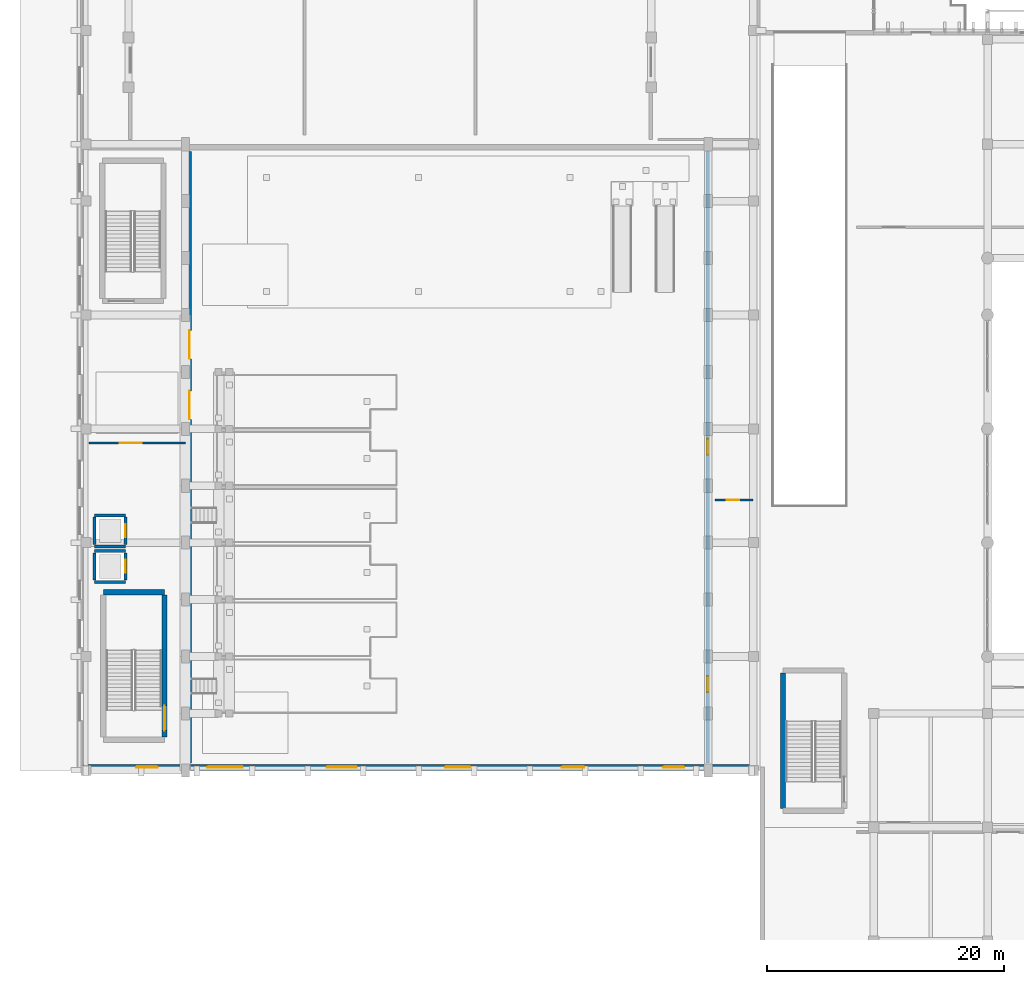
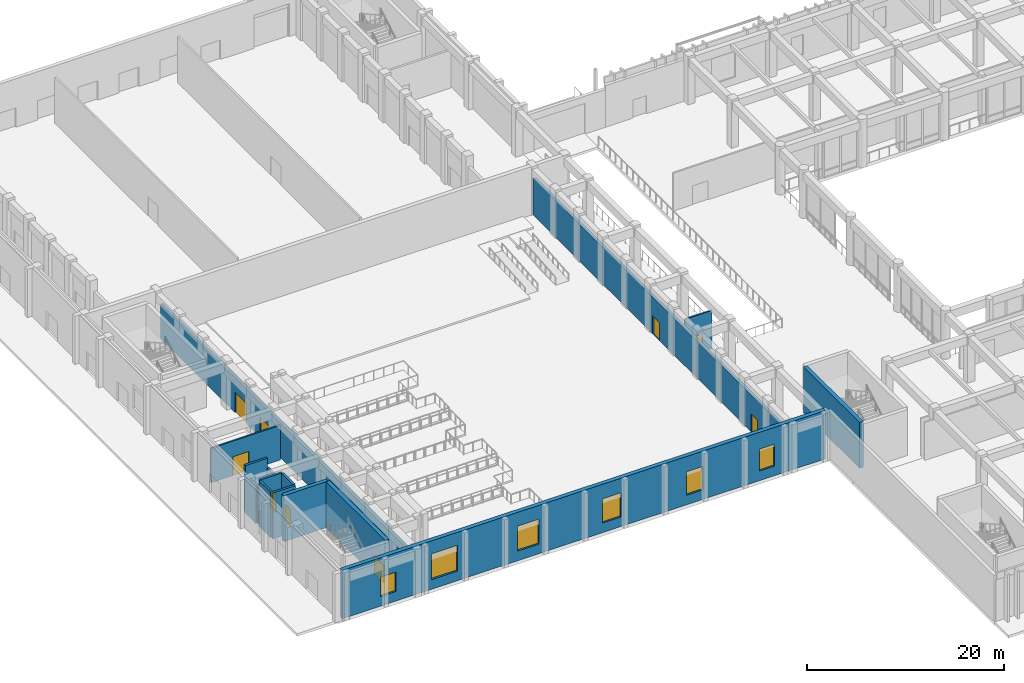
# One storey, part 41 of 87: 16 walls, 9 doors, 6 windows, 15 openings.
"""IFC4 building model written with IfcOpenShell, lengths in metres."""

from ifc_helpers import new_model, si_unit, direction, frame, frame_2d, origin, place, context, subcontext, project, spatial, rectangle, extrude, material, layer, layer_set, type_object, element, fill, save


model = new_model("IFC4")

# Units and contexts
model_context = context("Model", 3, precision=1e-05, world=origin(), true_north=direction((0.0, 1.0)))
body_context = subcontext(model_context, "Body", "Model", "MODEL_VIEW")
ifc_project = project(units=[si_unit("LENGTHUNIT", "METRE"), si_unit("AREAUNIT", "SQUARE_METRE"), si_unit("VOLUMEUNIT", "CUBIC_METRE"), si_unit("PLANEANGLEUNIT", "RADIAN"), si_unit("MASSUNIT", "GRAM", prefix="KILO")], contexts=[model_context])

# Site, building, storey
site_placement = place(None, origin())
site = spatial("IfcSite", under=ifc_project, at=site_placement, CompositionType="ELEMENT")
building_placement = place(site_placement, origin())
building = spatial("IfcBuilding", under=site, at=building_placement, Name="Nakhvara Creek Congress Hotel", CompositionType="ELEMENT")
storey_placement = place(building_placement, origin())
storey = spatial("IfcBuildingStorey", under=building, at=storey_placement, Name="L00", CompositionType="ELEMENT", Elevation=0.0)

# Wall
ifc_material_1 = material(Name="Concrete C50/60", Category="concrete")
ifc_layer_1 = layer(ifc_material_1, 0.449951171875)
ifc_layer_set_1 = layer_set([ifc_layer_1], Name="Concrete C50/60")
wall_type_1 = type_object("IfcWallType", Name="W-CORE-450", PredefinedType="SHEAR", material=ifc_layer_set_1)
wall_1_placement = place(storey_placement, frame((2.22998046875, 48.6201171875, 0.0), z_axis=(0.0, 0.0, 1.0), x_axis=(1.0, 0.0, 0.0)))
element("IfcWall", 1, at=wall_1_placement, inside=storey, type_object=wall_type_1, Name="Core Shear Wall WS02-CWALL-L00-0734", PredefinedType="SHEAR", context=body_context, shape_type="SweptSolid", body=[
    extrude(rectangle(XDim=5.14990234375, YDim=0.449951171875, at=frame_2d((2.574951171875, 0.0))), origin(), (0.0, 0.0, 1.0), 5.699951171875),
])

# Wall, opening, door
wall_2_placement = place(storey_placement, frame((7.3798828125, 36.39990234375, 0.0), z_axis=(0.0, 0.0, 1.0), x_axis=(0.0, 1.0, 0.0)))
wall_2 = element("IfcWall", 2, at=wall_2_placement, inside=storey, type_object=wall_type_1, Name="Core Shear Wall WS02-CWALL-L00-0736", PredefinedType="SHEAR", context=body_context, shape_type="SweptSolid", body=[
    extrude(rectangle(XDim=12.0, YDim=0.449951171875, at=frame_2d((6.0, 0.0))), origin(), (0.0, 0.0, 1.0), 5.699951171875),
])
opening_1_placement = place(wall_2_placement, frame((0.550048828125, 0.0, 0.0)))
opening_1 = element("IfcOpeningElement", 3, at=opening_1_placement, cuts=wall_2, Name="Opening FD19", PredefinedType="OPENING", context=body_context, shape_type="SweptSolid", body=[
    extrude(rectangle(XDim=2.10009765625, YDim=2.199951171875, at=frame_2d((1.050048828125, 1.10009765625))), frame((0.0, 0.23681640625, 0.0), z_axis=(0.0, -1.0, 0.0), x_axis=(1.0, 0.0, 0.0)), (0.0, 0.0, 1.0), 0.473876953125),
])
ifc_material_2 = material(Name="Galvanised steel acoustic fire door", Category="steel")
door_type_1 = type_object("IfcDoorType", Name="DT-STAIR-220", OperationType="DOUBLE_DOOR_SINGLE_SWING", PredefinedType="DOOR", material=ifc_material_2)
door_1_placement = place(opening_1_placement, frame((2.10009765625, 0.0, 0.0), z_axis=(0.0, 0.0, 1.0), x_axis=(-1.0, 0.0, 0.0)))
door_1 = element("IfcDoor", 4, at=door_1_placement, inside=storey, type_object=door_type_1, Name="Stair Exit Door ST05-L00", OperationType="DOUBLE_DOOR_SINGLE_SWING", OverallHeight=2.199951171875, OverallWidth=2.10009765625, PredefinedType="DOOR", context=body_context, shape_type="SweptSolid", body=[
    extrude(rectangle(XDim=2.10009765625, YDim=2.199951171875, at=frame_2d((1.050048828125, 1.10009765625))), frame((0.0, 0.02490234375, 0.0), z_axis=(0.0, -1.0, 0.0), x_axis=(1.0, 0.0, 0.0)), (0.0, 0.0, 1.0), 0.050048828125),
])
fill(opening_1, door_1)

# Wall
wall_3_placement = place(storey_placement, frame((59.550048828125, 30.39990234375, 0.0), z_axis=(0.0, 0.0, 1.0), x_axis=(0.0, 1.0, 0.0)))
element("IfcWall", 5, at=wall_3_placement, inside=storey, type_object=wall_type_1, Name="Core Shear Wall WS02-CWALL-L00-0989", PredefinedType="SHEAR", context=body_context, shape_type="SweptSolid", body=[
    extrude(rectangle(XDim=11.400146484375, YDim=0.449951171875, at=frame_2d((5.7001953125, 0.0))), origin(), (0.0, 0.0, 1.0), 5.699951171875),
])

# Wall, openings, windows
ifc_material_3 = material(Name="Honed pale Omani limestone cladding", Category="masonry")
ifc_layer_2 = layer(ifc_material_3, 0.06005859375)
ifc_material_4 = material(Name="Mineral wool thermal insulation")
ifc_layer_3 = layer(ifc_material_4, 0.1201171875)
ifc_material_5 = material(Name="Precast concrete C40/50", Category="concrete")
ifc_layer_4 = layer(ifc_material_5, 0.300048828125)
ifc_layer_set_2 = layer_set([ifc_layer_2, ifc_layer_3, ifc_layer_4], Name="Precast concrete C40/50")
wall_type_2 = type_object("IfcWallType", Name="W-HALL-480", PredefinedType="SOLIDWALL", material=ifc_layer_set_2)
wall_4_placement = place(storey_placement, frame((57.199951171875, 33.840087890625, 0.0), z_axis=(0.0, 0.0, 1.0), x_axis=(-1.0, 0.0, 0.0)))
wall_4 = element("IfcWall", 6, at=wall_4_placement, inside=storey, type_object=wall_type_2, Name="Exterior Wall WE01-EW-L00-0035", PredefinedType="SOLIDWALL", context=body_context, shape_type="SweptSolid", body=[
    extrude(rectangle(XDim=56.699951171875, YDim=0.47998046875, at=frame_2d((28.35009765625, 0.0))), origin(), (0.0, 0.0, 1.0), 6.0),
])
opening_2_placement = place(wall_4_placement, frame((6.0, 0.0, 1.199951171875)))
opening_2 = element("IfcOpeningElement", 7, at=opening_2_placement, cuts=wall_4, Name="Opening WN0023", PredefinedType="OPENING", context=body_context, shape_type="SweptSolid", body=[
    extrude(rectangle(XDim=1.75, YDim=2.699951171875, at=frame_2d((0.875, 1.35009765625))), frame((0.0, 0.251953125, 0.0), z_axis=(0.0, -1.0, 0.0), x_axis=(1.0, 0.0, 0.0)), (0.0, 0.0, 1.0), 0.50390625),
])
opening_3_placement = place(wall_4_placement, frame((14.39990234375, 0.0, 1.199951171875)))
opening_3 = element("IfcOpeningElement", 8, at=opening_3_placement, cuts=wall_4, Name="Opening WN0024", PredefinedType="OPENING", context=body_context, shape_type="SweptSolid", body=[
    extrude(rectangle(XDim=1.89990234375, YDim=2.89990234375, at=frame_2d((0.949951171875, 1.449951171875))), frame((0.0, 0.251953125, 0.0), z_axis=(0.0, -1.0, 0.0), x_axis=(1.0, 0.0, 0.0)), (0.0, 0.0, 1.0), 0.50390625),
])
opening_4_placement = place(wall_4_placement, frame((24.0, 0.0, 1.199951171875)))
opening_4 = element("IfcOpeningElement", 9, at=opening_4_placement, cuts=wall_4, Name="Opening WN0025", PredefinedType="OPENING", context=body_context, shape_type="SweptSolid", body=[
    extrude(rectangle(XDim=2.14990234375, YDim=3.0, at=frame_2d((1.074951171875, 1.5))), frame((0.0, 0.251953125, 0.0), z_axis=(0.0, -1.0, 0.0), x_axis=(1.0, 0.0, 0.0)), (0.0, 0.0, 1.0), 0.50390625),
])
opening_5_placement = place(wall_4_placement, frame((33.60009765625, 0.0, 1.199951171875)))
opening_5 = element("IfcOpeningElement", 10, at=opening_5_placement, cuts=wall_4, Name="Opening WN0026", PredefinedType="OPENING", context=body_context, shape_type="SweptSolid", body=[
    extrude(rectangle(XDim=2.550048828125, YDim=3.10009765625, at=frame_2d((1.27490234375, 1.550048828125))), frame((0.0, 0.251953125, 0.0), z_axis=(0.0, -1.0, 0.0), x_axis=(1.0, 0.0, 0.0)), (0.0, 0.0, 1.0), 0.50390625),
])
opening_6_placement = place(wall_4_placement, frame((43.199951171875, 0.0, 1.199951171875)))
opening_6 = element("IfcOpeningElement", 11, at=opening_6_placement, cuts=wall_4, Name="Opening WN0027", PredefinedType="OPENING", context=body_context, shape_type="SweptSolid", body=[
    extrude(rectangle(XDim=3.0, YDim=3.199951171875, at=frame_2d((1.5, 1.60009765625))), frame((0.0, 0.251953125, 0.0), z_axis=(0.0, -1.0, 0.0), x_axis=(1.0, 0.0, 0.0)), (0.0, 0.0, 1.0), 0.50390625),
])
opening_7_placement = place(wall_4_placement, frame((50.39990234375, 0.0, 1.199951171875)))
opening_7 = element("IfcOpeningElement", 12, at=opening_7_placement, cuts=wall_4, Name="Opening WN0028", PredefinedType="OPENING", context=body_context, shape_type="SweptSolid", body=[
    extrude(rectangle(XDim=1.800048828125, YDim=2.39990234375, at=frame_2d((0.89990234375, 1.199951171875))), frame((0.0, 0.251953125, 0.0), z_axis=(0.0, -1.0, 0.0), x_axis=(1.0, 0.0, 0.0)), (0.0, 0.0, 1.0), 0.50390625),
])
ifc_material_6 = material(Name="Thermally broken bronze-anodised aluminium and double-silver low-E insulated glass", Category="aluminium")
window_type_1 = type_object("IfcWindowType", Name="WN-POD-175X270", PartitioningType="SINGLE_PANEL", PredefinedType="WINDOW", material=ifc_material_6)
window_1_placement = place(opening_2_placement, origin())
window_1 = element("IfcWindow", 13, at=window_1_placement, inside=storey, type_object=window_type_1, Name="Facade Window WN0023", OverallHeight=2.699951171875, OverallWidth=1.75, PartitioningType="SINGLE_PANEL", PredefinedType="WINDOW", context=body_context, shape_type="SweptSolid", body=[
    extrude(rectangle(XDim=1.75, YDim=2.699951171875, at=frame_2d((0.875, 1.35009765625))), frame((0.0, 0.030029296875, 0.0), z_axis=(0.0, -1.0, 0.0), x_axis=(1.0, 0.0, 0.0)), (0.0, 0.0, 1.0), 0.06005859375),
])
fill(opening_2, window_1)
window_type_2 = type_object("IfcWindowType", Name="WN-POD-190X290", PartitioningType="SINGLE_PANEL", PredefinedType="WINDOW", material=ifc_material_6)
window_2_placement = place(opening_3_placement, origin())
window_2 = element("IfcWindow", 14, at=window_2_placement, inside=storey, type_object=window_type_2, Name="Facade Window WN0024", OverallHeight=2.89990234375, OverallWidth=1.89990234375, PartitioningType="SINGLE_PANEL", PredefinedType="WINDOW", context=body_context, shape_type="SweptSolid", body=[
    extrude(rectangle(XDim=1.89990234375, YDim=2.89990234375, at=frame_2d((0.949951171875, 1.449951171875))), frame((0.0, 0.030029296875, 0.0), z_axis=(0.0, -1.0, 0.0), x_axis=(1.0, 0.0, 0.0)), (0.0, 0.0, 1.0), 0.06005859375),
])
fill(opening_3, window_2)
window_type_3 = type_object("IfcWindowType", Name="WN-POD-215X300", PartitioningType="SINGLE_PANEL", PredefinedType="WINDOW", material=ifc_material_6)
window_3_placement = place(opening_4_placement, origin())
window_3 = element("IfcWindow", 15, at=window_3_placement, inside=storey, type_object=window_type_3, Name="Facade Window WN0025", OverallHeight=3.0, OverallWidth=2.14990234375, PartitioningType="SINGLE_PANEL", PredefinedType="WINDOW", context=body_context, shape_type="SweptSolid", body=[
    extrude(rectangle(XDim=2.14990234375, YDim=3.0, at=frame_2d((1.074951171875, 1.5))), frame((0.0, 0.030029296875, 0.0), z_axis=(0.0, -1.0, 0.0), x_axis=(1.0, 0.0, 0.0)), (0.0, 0.0, 1.0), 0.06005859375),
])
fill(opening_4, window_3)
window_type_4 = type_object("IfcWindowType", Name="WN-POD-255X310", PartitioningType="SINGLE_PANEL", PredefinedType="WINDOW", material=ifc_material_6)
window_4_placement = place(opening_5_placement, origin())
window_4 = element("IfcWindow", 16, at=window_4_placement, inside=storey, type_object=window_type_4, Name="Facade Window WN0026", OverallHeight=3.10009765625, OverallWidth=2.550048828125, PartitioningType="SINGLE_PANEL", PredefinedType="WINDOW", context=body_context, shape_type="SweptSolid", body=[
    extrude(rectangle(XDim=2.550048828125, YDim=3.10009765625, at=frame_2d((1.27490234375, 1.550048828125))), frame((0.0, 0.030029296875, 0.0), z_axis=(0.0, -1.0, 0.0), x_axis=(1.0, 0.0, 0.0)), (0.0, 0.0, 1.0), 0.06005859375),
])
fill(opening_5, window_4)
window_type_5 = type_object("IfcWindowType", Name="WN-POD-300X320", PartitioningType="SINGLE_PANEL", PredefinedType="WINDOW", material=ifc_material_6)
window_5_placement = place(opening_6_placement, origin())
window_5 = element("IfcWindow", 17, at=window_5_placement, inside=storey, type_object=window_type_5, Name="Facade Window WN0027", OverallHeight=3.199951171875, OverallWidth=3.0, PartitioningType="SINGLE_PANEL", PredefinedType="WINDOW", context=body_context, shape_type="SweptSolid", body=[
    extrude(rectangle(XDim=3.0, YDim=3.199951171875, at=frame_2d((1.5, 1.60009765625))), frame((0.0, 0.030029296875, 0.0), z_axis=(0.0, -1.0, 0.0), x_axis=(1.0, 0.0, 0.0)), (0.0, 0.0, 1.0), 0.06005859375),
])
fill(opening_6, window_5)
window_type_6 = type_object("IfcWindowType", Name="WN-SPA-180X240", PartitioningType="SINGLE_PANEL", PredefinedType="WINDOW", material=ifc_material_6)
window_6_placement = place(opening_7_placement, origin())
window_6 = element("IfcWindow", 18, at=window_6_placement, inside=storey, type_object=window_type_6, Name="Facade Window WN0028", OverallHeight=2.39990234375, OverallWidth=1.800048828125, PartitioningType="SINGLE_PANEL", PredefinedType="WINDOW", context=body_context, shape_type="SweptSolid", body=[
    extrude(rectangle(XDim=1.800048828125, YDim=2.39990234375, at=frame_2d((0.89990234375, 1.199951171875))), frame((0.0, 0.030029296875, 0.0), z_axis=(0.0, -1.0, 0.0), x_axis=(1.0, 0.0, 0.0)), (0.0, 0.0, 1.0), 0.06005859375),
])
fill(opening_7, window_6)

# Wall, opening, door
ifc_material_7 = material(Name="Gypsum acoustic board on steel stud", Category="steel")
ifc_layer_5 = layer(ifc_material_7, 0.179931640625)
ifc_layer_set_3 = layer_set([ifc_layer_5], Name="Gypsum acoustic board on steel stud")
wall_type_3 = type_object("IfcWallType", Name="W-MEET-180", PredefinedType="PARTITIONING", material=ifc_layer_set_3)
wall_5_placement = place(storey_placement, frame((1.0, 61.199951171875, 0.0), z_axis=(0.0, 0.0, 1.0), x_axis=(1.0, 0.0, 0.0)))
wall_5 = element("IfcWall", 19, at=wall_5_placement, inside=storey, type_object=wall_type_3, Name="Interior Wall WP13-IW-L00-0056", PredefinedType="PARTITIONING", context=body_context, shape_type="SweptSolid", body=[
    extrude(rectangle(XDim=8.139892578125, YDim=0.179931640625, at=frame_2d((4.06982421875, 0.0))), origin(), (0.0, 0.0, 1.0), 4.2919921875),
])
opening_8_placement = place(wall_5_placement, frame((2.60009765625, 0.0, 0.0)))
opening_8 = element("IfcOpeningElement", 20, at=opening_8_placement, cuts=wall_5, Name="Opening MD01", PredefinedType="OPENING", context=body_context, shape_type="SweptSolid", body=[
    extrude(rectangle(XDim=1.85009765625, YDim=2.35009765625, at=frame_2d((0.925048828125, 1.175048828125))), frame((0.0, 0.10205078125, 0.0), z_axis=(0.0, -1.0, 0.0), x_axis=(1.0, 0.0, 0.0)), (0.0, 0.0, 1.0), 0.203857421875),
])
ifc_material_8 = material(Name="Acoustic walnut timber double door", Category="wood")
door_type_2 = type_object("IfcDoorType", Name="DT-MEET-185", OperationType="DOUBLE_DOOR_SINGLE_SWING", PredefinedType="DOOR", material=ifc_material_8)
door_2_placement = place(opening_8_placement, frame((1.85009765625, 0.0, 0.0), z_axis=(0.0, 0.0, 1.0), x_axis=(-1.0, 0.0, 0.0)))
door_2 = element("IfcDoor", 21, at=door_2_placement, inside=storey, type_object=door_type_2, Name="Interior Door MD01-0056", OperationType="DOUBLE_DOOR_SINGLE_SWING", OverallHeight=2.35009765625, OverallWidth=1.85009765625, PredefinedType="DOOR", context=body_context, shape_type="SweptSolid", body=[
    extrude(rectangle(XDim=1.85009765625, YDim=2.35009765625, at=frame_2d((0.925048828125, 1.175048828125))), frame((0.0, 0.02490234375, 0.0), z_axis=(0.0, -1.0, 0.0), x_axis=(1.0, 0.0, 0.0)), (0.0, 0.0, 1.0), 0.050048828125),
])
fill(opening_8, door_2)

wall_6_placement = place(storey_placement, frame((53.800048828125, 56.39990234375, 0.0), z_axis=(0.0, 0.0, 1.0), x_axis=(1.0, 0.0, 0.0)))
wall_6 = element("IfcWall", 22, at=wall_6_placement, inside=storey, type_object=wall_type_3, Name="Interior Wall WP13-IW-L00-0057", PredefinedType="PARTITIONING", context=body_context, shape_type="SweptSolid", body=[
    extrude(rectangle(XDim=3.199951171875, YDim=0.179931640625, at=frame_2d((1.60009765625, 0.0))), origin(), (0.0, 0.0, 1.0), 4.69189453125),
])
opening_9_placement = place(wall_6_placement, frame((1.0, 0.0, 0.0)))
opening_9 = element("IfcOpeningElement", 23, at=opening_9_placement, cuts=wall_6, Name="Opening ID04", PredefinedType="OPENING", context=body_context, shape_type="SweptSolid", body=[
    extrude(rectangle(XDim=1.050048828125, YDim=2.179931640625, at=frame_2d((0.52490234375, 1.08984375))), frame((0.0, 0.10205078125, 0.0), z_axis=(0.0, -1.0, 0.0), x_axis=(1.0, 0.0, 0.0)), (0.0, 0.0, 1.0), 0.203857421875),
])
ifc_material_9 = material(Name="Teak timber & frosted glass spa door", Category="wood")
door_type_3 = type_object("IfcDoorType", Name="DT-SPA-105", OperationType="NOTDEFINED", PredefinedType="DOOR", material=ifc_material_9)
door_3_placement = place(opening_9_placement, frame((1.050048828125, 0.0, 0.0), z_axis=(0.0, 0.0, 1.0), x_axis=(-1.0, 0.0, 0.0)))
door_3 = element("IfcDoor", 24, at=door_3_placement, inside=storey, type_object=door_type_3, Name="Interior Door ID04-0057", OperationType="SINGLE_SWING_RIGHT", OverallHeight=2.179931640625, OverallWidth=1.050048828125, PredefinedType="DOOR", context=body_context, shape_type="SweptSolid", body=[
    extrude(rectangle(XDim=1.050048828125, YDim=2.179931640625, at=frame_2d((0.52490234375, 1.08984375))), frame((0.0, 0.02490234375, 0.0), z_axis=(0.0, -1.0, 0.0), x_axis=(1.0, 0.0, 0.0)), (0.0, 0.0, 1.0), 0.050048828125),
])
fill(opening_9, door_3)

# Wall, openings, doors
ifc_material_10 = material(Name="Concrete C40/50", Category="concrete")
ifc_layer_6 = layer(ifc_material_10, 0.320068359375)
ifc_layer_set_4 = layer_set([ifc_layer_6], Name="Concrete C40/50")
wall_type_4 = type_object("IfcWallType", Name="W-SEP-320", PredefinedType="SOLIDWALL", material=ifc_layer_set_4)
wall_7_placement = place(storey_placement, frame((9.5, 34.199951171875, 0.0), z_axis=(0.0, 0.0, 1.0), x_axis=(0.0, 1.0, 0.0)))
wall_7 = element("IfcWall", 25, at=wall_7_placement, inside=storey, type_object=wall_type_4, Name="Interior Wall WI01-IW-L00-0001", PredefinedType="SOLIDWALL", context=body_context, shape_type="SweptSolid", body=[
    extrude(rectangle(XDim=51.60009765625, YDim=0.320068359375, at=frame_2d((25.800048828125, 0.0))), origin(), (0.0, 0.0, 1.0), 4.2919921875),
])
opening_10_placement = place(wall_7_placement, frame((29.0, 0.0, 0.0)))
opening_10 = element("IfcOpeningElement", 26, at=opening_10_placement, cuts=wall_7, Name="Opening FD08", PredefinedType="OPENING", context=body_context, shape_type="SweptSolid", body=[
    extrude(rectangle(XDim=2.39990234375, YDim=2.5, at=frame_2d((1.199951171875, 1.25))), frame((0.0, 0.171875, 0.0), z_axis=(0.0, -1.0, 0.0), x_axis=(1.0, 0.0, 0.0)), (0.0, 0.0, 1.0), 0.343994140625),
])
opening_11_placement = place(wall_7_placement, frame((34.10009765625, 0.0, 0.0)))
opening_11 = element("IfcOpeningElement", 27, at=opening_11_placement, cuts=wall_7, Name="Opening FD08", PredefinedType="OPENING", context=body_context, shape_type="SweptSolid", body=[
    extrude(rectangle(XDim=2.39990234375, YDim=2.5, at=frame_2d((1.199951171875, 1.25))), frame((0.0, 0.171875, 0.0), z_axis=(0.0, -1.0, 0.0), x_axis=(1.0, 0.0, 0.0)), (0.0, 0.0, 1.0), 0.343994140625),
])
ifc_material_11 = material(Name="Acoustic hardwood and steel core fire door", Category="steel")
door_type_4 = type_object("IfcDoorType", Name="DT-HALL-240", OperationType="DOUBLE_DOOR_SINGLE_SWING", PredefinedType="DOOR", material=ifc_material_11)
door_4_placement = place(opening_10_placement, frame((2.39990234375, 0.0, 0.0), z_axis=(0.0, 0.0, 1.0), x_axis=(-1.0, 0.0, 0.0)))
door_4 = element("IfcDoor", 28, at=door_4_placement, inside=storey, type_object=door_type_4, Name="Interior Door FD08-0002", OperationType="DOUBLE_DOOR_SINGLE_SWING", OverallHeight=2.5, OverallWidth=2.39990234375, PredefinedType="DOOR", context=body_context, shape_type="SweptSolid", body=[
    extrude(rectangle(XDim=2.39990234375, YDim=2.5, at=frame_2d((1.199951171875, 1.25))), frame((0.0, 0.02490234375, 0.0), z_axis=(0.0, -1.0, 0.0), x_axis=(1.0, 0.0, 0.0)), (0.0, 0.0, 1.0), 0.050048828125),
])
fill(opening_10, door_4)
door_5_placement = place(opening_11_placement, frame((2.39990234375, 0.0, 0.0), z_axis=(0.0, 0.0, 1.0), x_axis=(-1.0, 0.0, 0.0)))
door_5 = element("IfcDoor", 29, at=door_5_placement, inside=storey, type_object=door_type_4, Name="Interior Door FD08-0003", OperationType="DOUBLE_DOOR_SINGLE_SWING", OverallHeight=2.5, OverallWidth=2.39990234375, PredefinedType="DOOR", context=body_context, shape_type="SweptSolid", body=[
    extrude(rectangle(XDim=2.39990234375, YDim=2.5, at=frame_2d((1.199951171875, 1.25))), frame((0.0, 0.02490234375, 0.0), z_axis=(0.0, -1.0, 0.0), x_axis=(1.0, 0.0, 0.0)), (0.0, 0.0, 1.0), 0.050048828125),
])
fill(opening_11, door_5)

wall_8_placement = place(storey_placement, frame((53.199951171875, 34.199951171875, 0.0), z_axis=(0.0, 0.0, 1.0), x_axis=(0.0, 1.0, 0.0)))
wall_8 = element("IfcWall", 30, at=wall_8_placement, inside=storey, type_object=wall_type_4, Name="Interior Wall WI01-IW-L00-0002", PredefinedType="SOLIDWALL", context=body_context, shape_type="SweptSolid", body=[
    extrude(rectangle(XDim=51.60009765625, YDim=0.320068359375, at=frame_2d((25.800048828125, 0.0))), origin(), (0.0, 0.0, 1.0), 4.592041015625),
])
opening_12_placement = place(wall_8_placement, frame((6.0, 0.0, 0.0)))
opening_12 = element("IfcOpeningElement", 31, at=opening_12_placement, cuts=wall_8, Name="Opening ID05", PredefinedType="OPENING", context=body_context, shape_type="SweptSolid", body=[
    extrude(rectangle(XDim=1.35009765625, YDim=2.199951171875, at=frame_2d((0.675048828125, 1.10009765625))), frame((0.0, 0.171875, 0.0), z_axis=(0.0, -1.0, 0.0), x_axis=(1.0, 0.0, 0.0)), (0.0, 0.0, 1.0), 0.343994140625),
])
opening_13_placement = place(wall_8_placement, frame((26.0, 0.0, 0.0)))
opening_13 = element("IfcOpeningElement", 32, at=opening_13_placement, cuts=wall_8, Name="Opening ID05", PredefinedType="OPENING", context=body_context, shape_type="SweptSolid", body=[
    extrude(rectangle(XDim=1.35009765625, YDim=2.199951171875, at=frame_2d((0.675048828125, 1.10009765625))), frame((0.0, 0.171875, 0.0), z_axis=(0.0, -1.0, 0.0), x_axis=(1.0, 0.0, 0.0)), (0.0, 0.0, 1.0), 0.343994140625),
])
ifc_material_12 = material(Name="Brushed stainless-clad BOH door")
door_type_5 = type_object("IfcDoorType", Name="DT-BOH-135", OperationType="NOTDEFINED", PredefinedType="DOOR", material=ifc_material_12)
door_6_placement = place(opening_12_placement, origin())
door_6 = element("IfcDoor", 33, at=door_6_placement, inside=storey, type_object=door_type_5, Name="Interior Door ID05-0004", OperationType="SINGLE_SWING_LEFT", OverallHeight=2.199951171875, OverallWidth=1.35009765625, PredefinedType="DOOR", context=body_context, shape_type="SweptSolid", body=[
    extrude(rectangle(XDim=1.35009765625, YDim=2.199951171875, at=frame_2d((0.675048828125, 1.10009765625))), frame((0.0, 0.02490234375, 0.0), z_axis=(0.0, -1.0, 0.0), x_axis=(1.0, 0.0, 0.0)), (0.0, 0.0, 1.0), 0.050048828125),
])
fill(opening_12, door_6)
door_7_placement = place(opening_13_placement, origin())
door_7 = element("IfcDoor", 34, at=door_7_placement, inside=storey, type_object=door_type_5, Name="Interior Door ID05-0005", OperationType="SINGLE_SWING_RIGHT", OverallHeight=2.199951171875, OverallWidth=1.35009765625, PredefinedType="DOOR", context=body_context, shape_type="SweptSolid", body=[
    extrude(rectangle(XDim=1.35009765625, YDim=2.199951171875, at=frame_2d((0.675048828125, 1.10009765625))), frame((0.0, 0.02490234375, 0.0), z_axis=(0.0, -1.0, 0.0), x_axis=(1.0, 0.0, 0.0)), (0.0, 0.0, 1.0), 0.050048828125),
])
fill(opening_13, door_7)

# Walls
ifc_layer_7 = layer(ifc_material_10, 0.25)
ifc_layer_set_5 = layer_set([ifc_layer_7], Name="Concrete C40/50")
wall_type_5 = type_object("IfcWallType", Name="W-SHAFT-250", PredefinedType="SOLIDWALL", material=ifc_layer_set_5)
for number, where, z_axis, x_axis, name in (
    (35, (1.489990234375, 49.489990234375, 0.0), (0.0, 0.0, 1.0), (1.0, 0.0, 0.0), "Core Shear Wall WI02-CWALL-L00-0737"),
    (36, (1.489990234375, 52.110107421875, 0.0), (0.0, 0.0, 1.0), (1.0, 0.0, 0.0), "Core Shear Wall WI02-CWALL-L00-0738"),
):
    element("IfcWall", number, at=place(storey_placement, frame(where, z_axis=z_axis, x_axis=x_axis)), inside=storey, type_object=wall_type_5, Name=name, PredefinedType="SOLIDWALL", context=body_context, shape_type="SweptSolid", body=[
        extrude(rectangle(XDim=2.6201171875, YDim=0.25, at=frame_2d((1.31005859375, 0.0))), origin(), (0.0, 0.0, 1.0), 5.699951171875),
    ])
wall_9_placement = place(storey_placement, frame((1.489990234375, 49.64990234375, 0.0), z_axis=(0.0, 0.0, 1.0), x_axis=(0.0, 1.0, 0.0)))
element("IfcWall", 37, at=wall_9_placement, inside=storey, type_object=wall_type_5, Name="Core Shear Wall WI02-CWALL-L00-0739", PredefinedType="SOLIDWALL", context=body_context, shape_type="SweptSolid", body=[
    extrude(rectangle(XDim=2.300048828125, YDim=0.25, at=frame_2d((1.14990234375, 0.0))), origin(), (0.0, 0.0, 1.0), 5.699951171875),
])

# Wall, opening, door
wall_10_placement = place(storey_placement, frame((4.110107421875, 49.64990234375, 0.0), z_axis=(0.0, 0.0, 1.0), x_axis=(0.0, 1.0, 0.0)))
wall_10 = element("IfcWall", 38, at=wall_10_placement, inside=storey, type_object=wall_type_5, Name="Core Shear Wall WI02-CWALL-L00-0740", PredefinedType="SOLIDWALL", context=body_context, shape_type="SweptSolid", body=[
    extrude(rectangle(XDim=2.300048828125, YDim=0.25, at=frame_2d((1.14990234375, 0.0))), origin(), (0.0, 0.0, 1.0), 5.699951171875),
])
opening_14_placement = place(wall_10_placement, frame((0.60009765625, 0.0, 0.0)))
opening_14 = element("IfcOpeningElement", 39, at=opening_14_placement, cuts=wall_10, Name="Opening LD01", PredefinedType="OPENING", context=body_context, shape_type="SweptSolid", body=[
    extrude(rectangle(XDim=1.10009765625, YDim=2.199951171875, at=frame_2d((0.550048828125, 1.10009765625))), frame((0.0, 0.136962890625, 0.0), z_axis=(0.0, -1.0, 0.0), x_axis=(1.0, 0.0, 0.0)), (0.0, 0.0, 1.0), 0.27392578125),
])
ifc_material_13 = material(Name="Brushed stainless steel sliding landing door", Category="steel")
door_type_6 = type_object("IfcDoorType", Name="DT-LIFT-110", OperationType="DOUBLE_DOOR_SLIDING", PredefinedType="DOOR", material=ifc_material_13)
door_8_placement = place(opening_14_placement, origin())
door_8 = element("IfcDoor", 40, at=door_8_placement, inside=storey, type_object=door_type_6, Name="Landing Door CL01-L00", OperationType="SLIDING_TO_LEFT", OverallHeight=2.199951171875, OverallWidth=1.10009765625, PredefinedType="DOOR", context=body_context, shape_type="SweptSolid", body=[
    extrude(rectangle(XDim=1.10009765625, YDim=2.199951171875, at=frame_2d((0.550048828125, 1.10009765625))), frame((0.0, 0.02490234375, 0.0), z_axis=(0.0, -1.0, 0.0), x_axis=(1.0, 0.0, 0.0)), (0.0, 0.0, 1.0), 0.050048828125),
])
fill(opening_14, door_8)

# Walls
wall_11_placement = place(storey_placement, frame((1.489990234375, 52.489990234375, 0.0), z_axis=(0.0, 0.0, 1.0), x_axis=(1.0, 0.0, 0.0)))
element("IfcWall", 41, at=wall_11_placement, inside=storey, type_object=wall_type_5, Name="Core Shear Wall WI02-CWALL-L00-0741", PredefinedType="SOLIDWALL", context=body_context, shape_type="SweptSolid", body=[
    extrude(rectangle(XDim=2.6201171875, YDim=0.25, at=frame_2d((1.31005859375, 0.0))), origin(), (0.0, 0.0, 1.0), 4.592041015625),
])
wall_12_placement = place(storey_placement, frame((1.489990234375, 55.110107421875, 0.0), z_axis=(0.0, 0.0, 1.0), x_axis=(1.0, 0.0, 0.0)))
element("IfcWall", 42, at=wall_12_placement, inside=storey, type_object=wall_type_5, Name="Core Shear Wall WI02-CWALL-L00-0742", PredefinedType="SOLIDWALL", context=body_context, shape_type="SweptSolid", body=[
    extrude(rectangle(XDim=2.6201171875, YDim=0.25, at=frame_2d((1.31005859375, 0.0))), origin(), (0.0, 0.0, 1.0), 5.699951171875),
])
wall_13_placement = place(storey_placement, frame((1.489990234375, 52.64990234375, 0.0), z_axis=(0.0, 0.0, 1.0), x_axis=(0.0, 1.0, 0.0)))
element("IfcWall", 43, at=wall_13_placement, inside=storey, type_object=wall_type_5, Name="Core Shear Wall WI02-CWALL-L00-0743", PredefinedType="SOLIDWALL", context=body_context, shape_type="SweptSolid", body=[
    extrude(rectangle(XDim=2.300048828125, YDim=0.25, at=frame_2d((1.14990234375, 0.0))), origin(), (0.0, 0.0, 1.0), 4.592041015625),
])

# Wall, opening, door
wall_14_placement = place(storey_placement, frame((4.110107421875, 52.64990234375, 0.0), z_axis=(0.0, 0.0, 1.0), x_axis=(0.0, 1.0, 0.0)))
wall_14 = element("IfcWall", 44, at=wall_14_placement, inside=storey, type_object=wall_type_5, Name="Core Shear Wall WI02-CWALL-L00-0744", PredefinedType="SOLIDWALL", context=body_context, shape_type="SweptSolid", body=[
    extrude(rectangle(XDim=2.300048828125, YDim=0.25, at=frame_2d((1.14990234375, 0.0))), origin(), (0.0, 0.0, 1.0), 4.592041015625),
])
opening_15_placement = place(wall_14_placement, frame((0.60009765625, 0.0, 0.0)))
opening_15 = element("IfcOpeningElement", 45, at=opening_15_placement, cuts=wall_14, Name="Opening LD01", PredefinedType="OPENING", context=body_context, shape_type="SweptSolid", body=[
    extrude(rectangle(XDim=1.10009765625, YDim=2.199951171875, at=frame_2d((0.550048828125, 1.10009765625))), frame((0.0, 0.136962890625, 0.0), z_axis=(0.0, -1.0, 0.0), x_axis=(1.0, 0.0, 0.0)), (0.0, 0.0, 1.0), 0.27392578125),
])
door_9_placement = place(opening_15_placement, origin())
door_9 = element("IfcDoor", 46, at=door_9_placement, inside=storey, type_object=door_type_6, Name="Landing Door CL02-L00", OperationType="SLIDING_TO_LEFT", OverallHeight=2.199951171875, OverallWidth=1.10009765625, PredefinedType="DOOR", context=body_context, shape_type="SweptSolid", body=[
    extrude(rectangle(XDim=1.10009765625, YDim=2.199951171875, at=frame_2d((0.550048828125, 1.10009765625))), frame((0.0, 0.02490234375, 0.0), z_axis=(0.0, -1.0, 0.0), x_axis=(1.0, 0.0, 0.0)), (0.0, 0.0, 1.0), 0.050048828125),
])
fill(opening_15, door_9)

save(model, "model.ifc")
